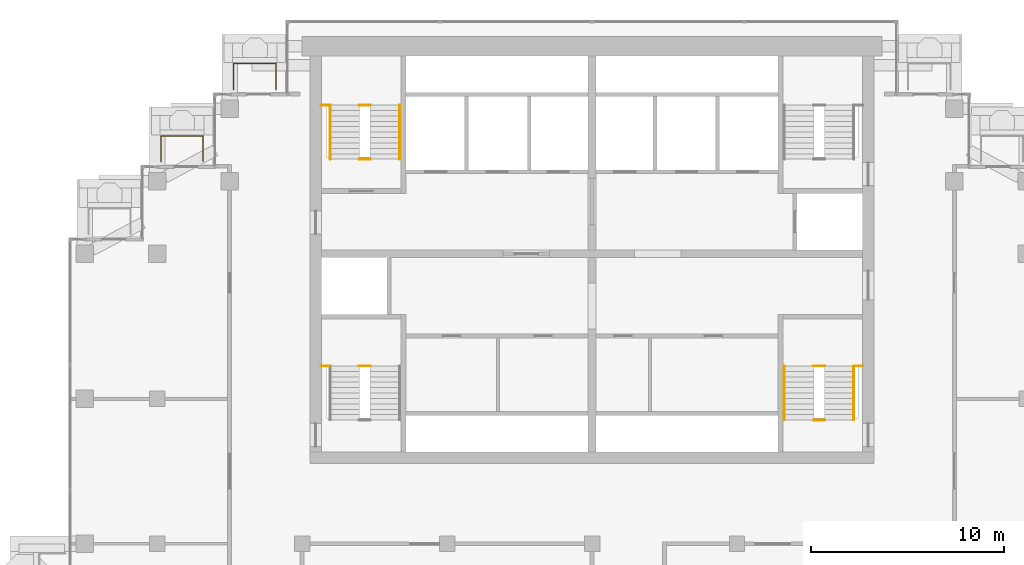
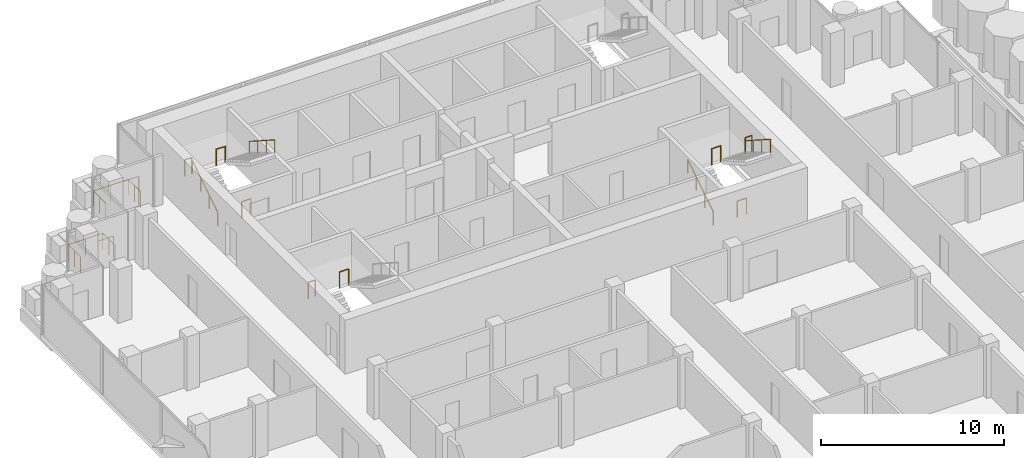
# One storey, part 16 of 18: 14 railings.
"""IFC4 building model written with IfcOpenShell, lengths in metres."""

from ifc_helpers import new_model, si_unit, direction, frame, origin, origin_2d, place, context, subcontext, project, spatial, circle, extrude, material, type_object, element, save


model = new_model("IFC4")

# Units and contexts
model_context = context("Model", 3, precision=1e-05, world=origin(), true_north=direction((0.0, 1.0)))
body_context = subcontext(model_context, "Body", "Model", "MODEL_VIEW")
ifc_project = project(units=[si_unit("LENGTHUNIT", "METRE"), si_unit("AREAUNIT", "SQUARE_METRE"), si_unit("VOLUMEUNIT", "CUBIC_METRE"), si_unit("PLANEANGLEUNIT", "RADIAN"), si_unit("MASSUNIT", "GRAM", prefix="KILO")], contexts=[model_context])

# Site, building, storey
site_placement = place(None, origin())
site = spatial("IfcSite", under=ifc_project, at=site_placement, CompositionType="ELEMENT")
building_placement = place(site_placement, origin())
building = spatial("IfcBuilding", under=site, at=building_placement, Name="Pilkhan Gate Tower", CompositionType="ELEMENT")
storey_placement = place(building_placement, frame((0.0, 0.0, 231.89990234375)))
storey = spatial("IfcBuildingStorey", under=building, at=storey_placement, Name="L60", CompositionType="ELEMENT", Elevation=231.89990234375)

# Railings
ifc_material_1 = material(Name="Pale anodised aluminium posts, laminated glass infill", Category="aluminium")
railing_type_1 = type_object("IfcRailingType", Name="Balcony guard G1", PredefinedType="BALUSTRADE", material=ifc_material_1)
railing_1_placement = place(storey_placement, frame((56.449951171875, 91.0, 0.0)))
element("IfcRailing", 1, at=railing_1_placement, inside=storey, type_object=railing_type_1, Name="Balcony guard L60 N", PredefinedType="BALUSTRADE", context=body_context, shape_type="SweptSolid", body=[
    extrude(circle(Radius=0.02392578125, at=origin_2d()), frame((0.0, 0.0, 1.076171875), z_axis=(0.0, 1.0, 0.0), x_axis=(-1.0, 0.0, 0.0)), (0.0, 0.0, 1.0), 1.35009765625),
    extrude(circle(Radius=0.02392578125, at=origin_2d()), frame((0.0, 1.35009765625, 1.076171875), z_axis=(1.0, 0.0, 0.0), x_axis=(0.0, 1.0, 0.0)), (0.0, 0.0, 1.0), 2.199951171875),
    extrude(circle(Radius=0.02392578125, at=origin_2d()), frame((2.199951171875, 1.35009765625, 1.076171875), z_axis=(0.0, -1.0, 0.0), x_axis=(1.0, 0.0, 0.0)), (0.0, 0.0, 1.0), 1.35009765625),
    extrude(circle(Radius=0.02099609375, at=origin_2d()), origin(), (0.0, 0.0, 1.0), 1.052001953125),
    extrude(circle(Radius=0.02099609375, at=origin_2d()), frame((0.0, 0.675048828125, 0.0)), (0.0, 0.0, 1.0), 1.052001953125),
    extrude(circle(Radius=0.02099609375, at=origin_2d()), frame((0.0, 1.35009765625, 0.0)), (0.0, 0.0, 1.0), 1.052001953125),
    extrude(circle(Radius=0.02099609375, at=origin_2d()), frame((1.10009765625, 1.35009765625, 0.0)), (0.0, 0.0, 1.0), 1.052001953125),
    extrude(circle(Radius=0.02099609375, at=origin_2d()), frame((2.199951171875, 1.35009765625, 0.0)), (0.0, 0.0, 1.0), 1.052001953125),
    extrude(circle(Radius=0.02099609375, at=origin_2d()), frame((2.199951171875, 0.675048828125, 0.0)), (0.0, 0.0, 1.0), 1.052001953125),
    extrude(circle(Radius=0.02099609375, at=origin_2d()), frame((2.199951171875, 0.0, 0.0)), (0.0, 0.0, 1.0), 1.052001953125),
])
railing_2_placement = place(storey_placement, frame((52.699951171875, 87.27001953125, 0.0)))
element("IfcRailing", 2, at=railing_2_placement, inside=storey, type_object=railing_type_1, Name="Balcony guard L60 N", PredefinedType="BALUSTRADE", context=body_context, shape_type="SweptSolid", body=[
    extrude(circle(Radius=0.02392578125, at=origin_2d()), frame((0.0, 0.0, 1.076171875), z_axis=(0.0, 1.0, 0.0), x_axis=(-1.0, 0.0, 0.0)), (0.0, 0.0, 1.0), 1.330078125),
    extrude(circle(Radius=0.02392578125, at=origin_2d()), frame((0.0, 1.330078125, 1.076171875), z_axis=(1.0, 0.0, 0.0), x_axis=(0.0, 1.0, 0.0)), (0.0, 0.0, 1.0), 2.179931640625),
    extrude(circle(Radius=0.02392578125, at=origin_2d()), frame((2.179931640625, 1.330078125, 1.076171875), z_axis=(0.0, -1.0, 0.0), x_axis=(1.0, 0.0, 0.0)), (0.0, 0.0, 1.0), 1.330078125),
    extrude(circle(Radius=0.02099609375, at=origin_2d()), origin(), (0.0, 0.0, 1.0), 1.052001953125),
    extrude(circle(Radius=0.02099609375, at=origin_2d()), frame((0.0, 0.6650390625, 0.0)), (0.0, 0.0, 1.0), 1.052001953125),
    extrude(circle(Radius=0.02099609375, at=origin_2d()), frame((0.0, 1.330078125, 0.0)), (0.0, 0.0, 1.0), 1.052001953125),
    extrude(circle(Radius=0.02099609375, at=origin_2d()), frame((1.08984375, 1.330078125, 0.0)), (0.0, 0.0, 1.0), 1.052001953125),
    extrude(circle(Radius=0.02099609375, at=origin_2d()), frame((2.179931640625, 1.330078125, 0.0)), (0.0, 0.0, 1.0), 1.052001953125),
    extrude(circle(Radius=0.02099609375, at=origin_2d()), frame((2.179931640625, 0.6650390625, 0.0)), (0.0, 0.0, 1.0), 1.052001953125),
    extrude(circle(Radius=0.02099609375, at=origin_2d()), frame((2.179931640625, 0.0, 0.0)), (0.0, 0.0, 1.0), 1.052001953125),
])
ifc_material_2 = material(Name="Black powder-coated steel tube", Category="steel")
railing_type_2 = type_object("IfcRailingType", Name="Stair handrail HR1", PredefinedType="HANDRAIL", material=ifc_material_2)
railing_3_placement = place(storey_placement, frame((84.949951171875, 73.89990234375, 0.0)))
element("IfcRailing", 3, at=railing_3_placement, inside=storey, type_object=railing_type_2, Name="Stair ST1 handrail L60", PredefinedType="HANDRAIL", context=body_context, shape_type="SweptSolid", body=[
    extrude(circle(Radius=0.02392578125, at=origin_2d()), frame((0.0, 0.0, 0.8759765625), z_axis=(0.0, 0.841176092368, 0.540761298198), x_axis=(-1.0, 0.0, 0.0)), (0.0, 0.0, 1.0), 3.32861328125),
    extrude(circle(Radius=0.02099609375, at=origin_2d()), origin(), (0.0, 0.0, 1.0), 0.851806640625),
    extrude(circle(Radius=0.02099609375, at=origin_2d()), frame((0.0, 0.933349609375, 0.60009765625)), (0.0, 0.0, 1.0), 0.851806640625),
    extrude(circle(Radius=0.02099609375, at=origin_2d()), frame((0.0, 1.86669921875, 1.199951171875)), (0.0, 0.0, 1.0), 0.851806640625),
    extrude(circle(Radius=0.02099609375, at=origin_2d()), frame((0.0, 2.800048828125, 1.800048828125)), (0.0, 0.0, 1.0), 0.851806640625),
])
railing_4_placement = place(storey_placement, frame((88.550048828125, 76.699951171875, 1.800048828125)))
element("IfcRailing", 4, at=railing_4_placement, inside=storey, type_object=railing_type_2, Name="Stair ST1 handrail L60", PredefinedType="HANDRAIL", context=body_context, shape_type="SweptSolid", body=[
    extrude(circle(Radius=0.02392578125, at=origin_2d()), frame((0.0, 0.0, 0.8759765625), z_axis=(0.0, -0.841176092368, 0.540761298198), x_axis=(1.0, 0.0, 0.0)), (0.0, 0.0, 1.0), 3.32861328125),
    extrude(circle(Radius=0.02099609375, at=origin_2d()), origin(), (0.0, 0.0, 1.0), 0.851806640625),
    extrude(circle(Radius=0.02099609375, at=origin_2d()), frame((0.0, -0.933349609375, 0.60009765625)), (0.0, 0.0, 1.0), 0.851806640625),
    extrude(circle(Radius=0.02099609375, at=origin_2d()), frame((0.0, -1.86669921875, 1.199951171875)), (0.0, 0.0, 1.0), 0.851806640625),
    extrude(circle(Radius=0.02099609375, at=origin_2d()), frame((0.0, -2.800048828125, 1.800048828125)), (0.0, 0.0, 1.0), 0.851806640625),
])
railing_5_placement = place(storey_placement, frame((61.449951171875, 87.39990234375, 0.0)))
element("IfcRailing", 5, at=railing_5_placement, inside=storey, type_object=railing_type_2, Name="Stair ST3 handrail L60", PredefinedType="HANDRAIL", context=body_context, shape_type="SweptSolid", body=[
    extrude(circle(Radius=0.02392578125, at=origin_2d()), frame((0.0, 0.0, 0.8759765625), z_axis=(0.0, 0.841176092368, 0.540761298198), x_axis=(-1.0, 0.0, 0.0)), (0.0, 0.0, 1.0), 3.32861328125),
    extrude(circle(Radius=0.02099609375, at=origin_2d()), origin(), (0.0, 0.0, 1.0), 0.851806640625),
    extrude(circle(Radius=0.02099609375, at=origin_2d()), frame((0.0, 0.933349609375, 0.60009765625)), (0.0, 0.0, 1.0), 0.851806640625),
    extrude(circle(Radius=0.02099609375, at=origin_2d()), frame((0.0, 1.86669921875, 1.199951171875)), (0.0, 0.0, 1.0), 0.851806640625),
    extrude(circle(Radius=0.02099609375, at=origin_2d()), frame((0.0, 2.800048828125, 1.800048828125)), (0.0, 0.0, 1.0), 0.851806640625),
])
railing_6_placement = place(storey_placement, frame((65.050048828125, 90.199951171875, 1.800048828125)))
element("IfcRailing", 6, at=railing_6_placement, inside=storey, type_object=railing_type_2, Name="Stair ST3 handrail L60", PredefinedType="HANDRAIL", context=body_context, shape_type="SweptSolid", body=[
    extrude(circle(Radius=0.02392578125, at=origin_2d()), frame((0.0, 0.0, 0.8759765625), z_axis=(0.0, -0.841176092368, 0.540761298198), x_axis=(1.0, 0.0, 0.0)), (0.0, 0.0, 1.0), 3.32861328125),
    extrude(circle(Radius=0.02099609375, at=origin_2d()), origin(), (0.0, 0.0, 1.0), 0.851806640625),
    extrude(circle(Radius=0.02099609375, at=origin_2d()), frame((0.0, -0.933349609375, 0.60009765625)), (0.0, 0.0, 1.0), 0.851806640625),
    extrude(circle(Radius=0.02099609375, at=origin_2d()), frame((0.0, -1.86669921875, 1.199951171875)), (0.0, 0.0, 1.0), 0.851806640625),
    extrude(circle(Radius=0.02099609375, at=origin_2d()), frame((0.0, -2.800048828125, 1.800048828125)), (0.0, 0.0, 1.0), 0.851806640625),
])
ifc_material_3 = material(Name="Black powder-coated steel balusters", Category="steel")
railing_type_3 = type_object("IfcRailingType", Name="Stair well guard G3", PredefinedType="GUARDRAIL", material=ifc_material_3)
railing_7_placement = place(storey_placement, frame((88.580078125, 76.699951171875, 1.800048828125)))
element("IfcRailing", 7, at=railing_7_placement, inside=storey, type_object=railing_type_3, Name="Stair ST1 well guard L60", PredefinedType="GUARDRAIL", context=body_context, shape_type="SweptSolid", body=[
    extrude(circle(Radius=0.02392578125, at=origin_2d()), frame((0.0, 0.0, 1.076171875), z_axis=(1.0, 0.0, 0.0), x_axis=(0.0, 1.0, 0.0)), (0.0, 0.0, 1.0), 0.43994140625),
    extrude(circle(Radius=0.02099609375, at=origin_2d()), origin(), (0.0, 0.0, 1.0), 1.052001953125),
    extrude(circle(Radius=0.02099609375, at=origin_2d()), frame((0.43994140625, 0.0, 0.0)), (0.0, 0.0, 1.0), 1.052001953125),
])
for number, where, name in (
    (8, (86.4599609375, 73.89990234375, 0.0), "Stair ST1 well guard L60"),
    (9, (86.4599609375, 76.699951171875, 1.800048828125), "Stair ST1 well guard L60"),
):
    element("IfcRailing", number, at=place(storey_placement, frame(where)), inside=storey, type_object=railing_type_3, Name=name, PredefinedType="GUARDRAIL", context=body_context, shape_type="SweptSolid", body=[
        extrude(circle(Radius=0.02392578125, at=origin_2d()), frame((0.0, 0.0, 1.076171875), z_axis=(1.0, 0.0, 0.0), x_axis=(0.0, 1.0, 0.0)), (0.0, 0.0, 1.0), 0.580078125),
        extrude(circle(Radius=0.02099609375, at=origin_2d()), origin(), (0.0, 0.0, 1.0), 1.052001953125),
        extrude(circle(Radius=0.02099609375, at=origin_2d()), frame((0.580078125, 0.0, 0.0)), (0.0, 0.0, 1.0), 1.052001953125),
    ])
railing_8_placement = place(storey_placement, frame((60.97998046875, 76.699951171875, 1.800048828125)))
element("IfcRailing", 10, at=railing_8_placement, inside=storey, type_object=railing_type_3, Name="Stair ST2 well guard L60", PredefinedType="GUARDRAIL", context=body_context, shape_type="SweptSolid", body=[
    extrude(circle(Radius=0.02392578125, at=origin_2d()), frame((0.0, 0.0, 1.076171875), z_axis=(1.0, 0.0, 0.0), x_axis=(0.0, 1.0, 0.0)), (0.0, 0.0, 1.0), 0.43994140625),
    extrude(circle(Radius=0.02099609375, at=origin_2d()), origin(), (0.0, 0.0, 1.0), 1.052001953125),
    extrude(circle(Radius=0.02099609375, at=origin_2d()), frame((0.43994140625, 0.0, 0.0)), (0.0, 0.0, 1.0), 1.052001953125),
])
railing_9_placement = place(storey_placement, frame((62.9599609375, 76.699951171875, 1.800048828125)))
element("IfcRailing", 11, at=railing_9_placement, inside=storey, type_object=railing_type_3, Name="Stair ST2 well guard L60", PredefinedType="GUARDRAIL", context=body_context, shape_type="SweptSolid", body=[
    extrude(circle(Radius=0.02392578125, at=origin_2d()), frame((0.0, 0.0, 1.076171875), z_axis=(1.0, 0.0, 0.0), x_axis=(0.0, 1.0, 0.0)), (0.0, 0.0, 1.0), 0.580078125),
    extrude(circle(Radius=0.02099609375, at=origin_2d()), origin(), (0.0, 0.0, 1.0), 1.052001953125),
    extrude(circle(Radius=0.02099609375, at=origin_2d()), frame((0.580078125, 0.0, 0.0)), (0.0, 0.0, 1.0), 1.052001953125),
])
railing_10_placement = place(storey_placement, frame((60.97998046875, 90.199951171875, 1.800048828125)))
element("IfcRailing", 12, at=railing_10_placement, inside=storey, type_object=railing_type_3, Name="Stair ST3 well guard L60", PredefinedType="GUARDRAIL", context=body_context, shape_type="SweptSolid", body=[
    extrude(circle(Radius=0.02392578125, at=origin_2d()), frame((0.0, 0.0, 1.076171875), z_axis=(1.0, 0.0, 0.0), x_axis=(0.0, 1.0, 0.0)), (0.0, 0.0, 1.0), 0.43994140625),
    extrude(circle(Radius=0.02099609375, at=origin_2d()), origin(), (0.0, 0.0, 1.0), 1.052001953125),
    extrude(circle(Radius=0.02099609375, at=origin_2d()), frame((0.43994140625, 0.0, 0.0)), (0.0, 0.0, 1.0), 1.052001953125),
])
for number, where, name in (
    (13, (62.9599609375, 87.39990234375, 0.0), "Stair ST3 well guard L60"),
    (14, (62.9599609375, 90.199951171875, 1.800048828125), "Stair ST3 well guard L60"),
):
    element("IfcRailing", number, at=place(storey_placement, frame(where)), inside=storey, type_object=railing_type_3, Name=name, PredefinedType="GUARDRAIL", context=body_context, shape_type="SweptSolid", body=[
        extrude(circle(Radius=0.02392578125, at=origin_2d()), frame((0.0, 0.0, 1.076171875), z_axis=(1.0, 0.0, 0.0), x_axis=(0.0, 1.0, 0.0)), (0.0, 0.0, 1.0), 0.580078125),
        extrude(circle(Radius=0.02099609375, at=origin_2d()), origin(), (0.0, 0.0, 1.0), 1.052001953125),
        extrude(circle(Radius=0.02099609375, at=origin_2d()), frame((0.580078125, 0.0, 0.0)), (0.0, 0.0, 1.0), 1.052001953125),
    ])

save(model, "model.ifc")
